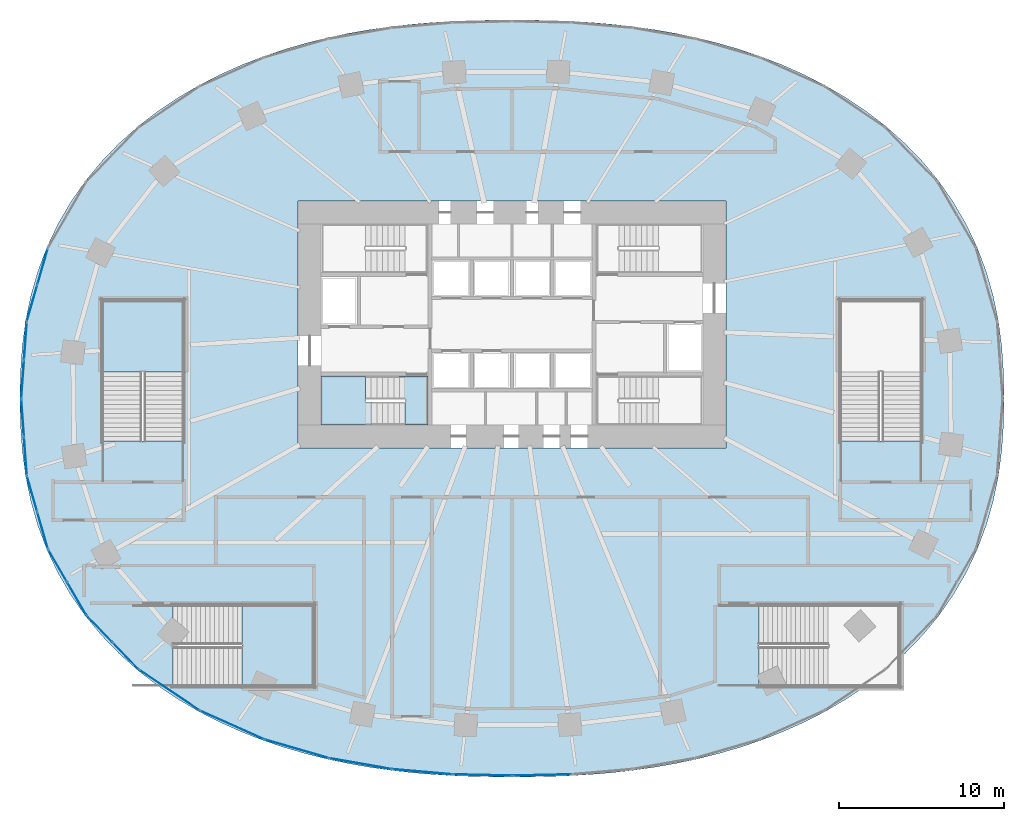
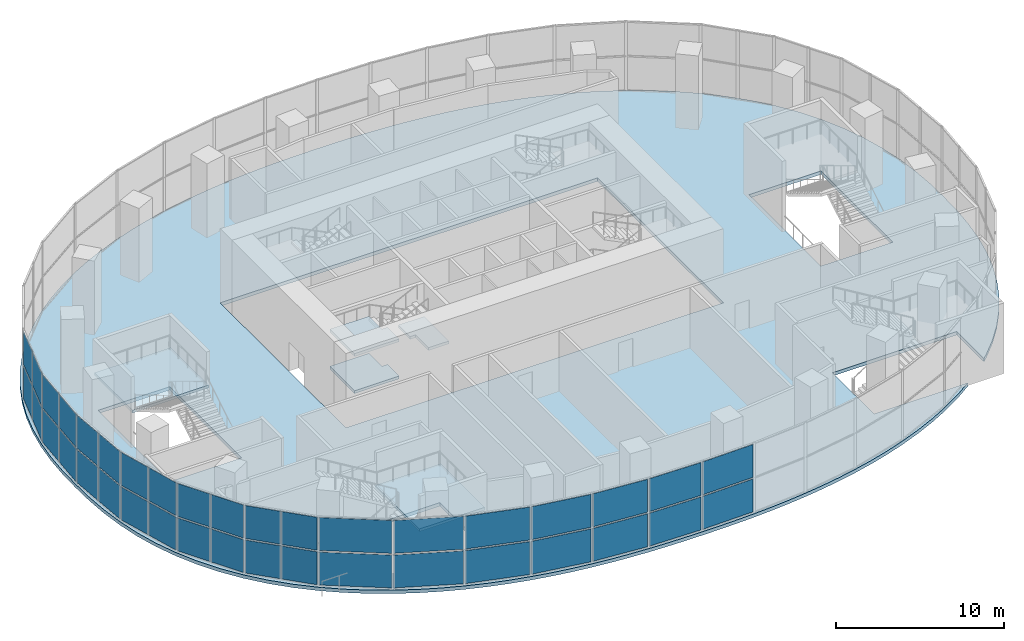
# One storey, part 9 of 20: 38 plates, 6 slabs, 16 elements without a shape of their own.
"""IFC4 building model written with IfcOpenShell, lengths in metres."""

import ifcopenshell
import ifcopenshell.guid

model = None  # the IFC model being written
_history = None  # IfcOwnerHistory: only IFC2X3 demands one
_inside = {}  # id of a spatial element -> (the spatial element, [elements in it])
_under = {}  # id of a project, library or spatial element -> (it, [spatial elements below it])
_declared = {}  # id of a project -> (the project, [libraries it declares])
_typed = {}  # id of a type object -> (the type object, [elements of that type])
_made_of = {}  # id of a material, layer set ... -> (it, [elements and type objects made of it])


def new_model(schema):
    """Start an empty IFC model of exactly this schema.

    Asked for "IFC4X3", IfcOpenShell would pick the latest addendum, in which some entities
    have other attributes; the version numbers below select the first issue.
    IFC2X3 requires an IfcOwnerHistory on every rooted entity: one is made here for all.
    """
    global model, _history
    if schema == "IFC4X3":
        model = ifcopenshell.file(schema_version=(4, 3, 0, 0))
    else:
        model = ifcopenshell.file(schema=schema)
    _inside.clear()
    _under.clear()
    _declared.clear()
    _typed.clear()
    _made_of.clear()
    _history = None
    if model.schema == "IFC2X3":
        org = make("IfcOrganization", Name="unknown")
        user = make(
            "IfcPersonAndOrganization",
            ThePerson=make("IfcPerson", FamilyName="unknown"),
            TheOrganization=org,
        )
        app = make(
            "IfcApplication",
            ApplicationDeveloper=org,
            Version="unknown",
            ApplicationFullName="unknown",
            ApplicationIdentifier="unknown",
        )
        _history = make(
            "IfcOwnerHistory",
            OwningUser=user,
            OwningApplication=app,
            ChangeAction="ADDED",
            CreationDate=0,
        )
    return model


def make(cls, **values):
    """One entity of the class cls with the attributes given. An attribute that is None is left unset."""
    return model.create_entity(
        cls, **{name: value for name, value in values.items() if value is not None}
    )


def rooted(cls, **values):
    """An entity with a GlobalId (a new one), such as an element, a storey or a relation."""
    return make(cls, GlobalId=ifcopenshell.guid.new(), OwnerHistory=_history, **values)


def si_unit(unit_type, name, prefix=None):
    """IfcSIUnit, for example si_unit("LENGTHUNIT", "METRE", prefix="MILLI")."""
    return make("IfcSIUnit", UnitType=unit_type, Prefix=prefix, Name=name)


def assignment(units):
    """IfcUnitAssignment: the units of a project."""
    return None if units is None else make("IfcUnitAssignment", Units=units)


def point(xyz):
    """IfcCartesianPoint."""
    return None if xyz is None else make("IfcCartesianPoint", Coordinates=xyz)


def direction(xyz):
    """IfcDirection."""
    return None if xyz is None else make("IfcDirection", DirectionRatios=xyz)


def frame(location, z_axis=None, x_axis=None):
    """IfcAxis2Placement3D, a coordinate frame: its origin and axes. An axis left out is left unset."""
    return make(
        "IfcAxis2Placement3D",
        Location=point(location),
        Axis=direction(z_axis),
        RefDirection=direction(x_axis),
    )


def frame_2d(location, x_axis=None):
    """IfcAxis2Placement2D, a coordinate frame in the plane: its origin and x axis."""
    return make(
        "IfcAxis2Placement2D", Location=point(location), RefDirection=direction(x_axis)
    )


def origin():
    """The frame at (0, 0, 0) with its axes left unset."""
    return frame((0.0, 0.0, 0.0))


def origin_2d():
    """The frame at (0, 0) in the plane with its x axis left unset."""
    return frame_2d((0.0, 0.0))


def place(relative_to, where):
    """IfcLocalPlacement: puts the frame where relative to a parent placement (None: the world)."""
    return make(
        "IfcLocalPlacement", PlacementRelTo=relative_to, RelativePlacement=where
    )


def context(
    kind, dimensions, precision=None, world=None, true_north=None, identifier=None
):
    """IfcGeometricRepresentationContext, for example the 3D "Model" context."""
    return make(
        "IfcGeometricRepresentationContext",
        ContextIdentifier=identifier,
        ContextType=kind,
        CoordinateSpaceDimension=dimensions,
        Precision=precision,
        WorldCoordinateSystem=world,
        TrueNorth=true_north,
    )


def subcontext(parent, identifier, kind, view, scale=None):
    """IfcGeometricRepresentationSubContext, for example "Body" below "Model"."""
    return make(
        "IfcGeometricRepresentationSubContext",
        ContextIdentifier=identifier,
        ContextType=kind,
        ParentContext=parent,
        TargetScale=scale,
        TargetView=view,
    )


def project(units=None, contexts=None):
    """IfcProject with its units and contexts."""
    return rooted(
        "IfcProject",
        Name="project",
        RepresentationContexts=contexts,
        UnitsInContext=assignment(units),
    )


def spatial(cls, under=None, at=None, **own):
    """A site, building, storey or space (cls), placed at a placement, below another one or the project."""
    s = rooted(cls, ObjectPlacement=at, **own)
    if under is not None:
        _under.setdefault(under.id(), (under, []))[1].append(s)
    return s


def polyline(points):
    """IfcPolyline through the points."""
    return make("IfcPolyline", Points=[point(p) for p in points])


def profile(cls, at=None, kind="AREA", **sizes):
    """A parametric profile (cls). Its sizes go by their IFC names, for example OverallWidth=200.0."""
    return make(cls, ProfileType=kind, Position=at, **sizes)


def rectangle(**sizes):
    """IfcRectangleProfileDef."""
    return profile("IfcRectangleProfileDef", **sizes)


def outline(outer, holes=None, kind="AREA"):
    """IfcArbitraryClosedProfileDef: a profile drawn as a closed curve; with holes, ...WithVoids."""
    if holes is None:
        return make("IfcArbitraryClosedProfileDef", ProfileType=kind, OuterCurve=outer)
    return make(
        "IfcArbitraryProfileDefWithVoids",
        ProfileType=kind,
        OuterCurve=outer,
        InnerCurves=holes,
    )


def extrude(swept, where, along, depth):
    """IfcExtrudedAreaSolid: the profile swept, set in the frame where, extruded along a direction by depth."""
    return make(
        "IfcExtrudedAreaSolid",
        SweptArea=swept,
        Position=where,
        ExtrudedDirection=direction(along),
        Depth=depth,
    )


def shape(context_of_items, identifier, shape_type, items):
    """IfcShapeRepresentation: the items that make up one representation, for example the "Body"."""
    return make(
        "IfcShapeRepresentation",
        ContextOfItems=context_of_items,
        RepresentationIdentifier=identifier,
        RepresentationType=shape_type,
        Items=items,
    )


def material(Name=None, Category=None):
    """IfcMaterial."""
    return make("IfcMaterial", Name=Name, Category=Category)


def layer(
    of_material, thickness, ventilated=None, Name=None, Category=None, Priority=None
):
    """IfcMaterialLayer: one layer of a wall or slab, of a material (None: an air gap)."""
    return make(
        "IfcMaterialLayer",
        Material=of_material,
        LayerThickness=thickness,
        IsVentilated=ventilated,
        Name=Name,
        Category=Category,
        Priority=Priority,
    )


def layer_set(layers, Name=None):
    """IfcMaterialLayerSet."""
    return make("IfcMaterialLayerSet", MaterialLayers=layers, LayerSetName=Name)


def made_of(thing, what):
    """Note that an element or type object is made of a material, layer set ...; save() writes the relation."""
    if what is not None:
        _made_of.setdefault(what.id(), (what, []))[1].append(thing)
    return thing


def type_object(cls, material=None, **own):
    """A type object (cls), such as IfcWallType, which elements share."""
    return made_of(rooted(cls, **own), material)


def element(
    cls,
    number,
    at=None,
    inside=None,
    cuts=None,
    type_object=None,
    material=None,
    context=None,
    identifier="Body",
    shape_type=None,
    held_by="IfcProductDefinitionShape",
    body=None,
    shapes=None,
    **own,
):
    """One element of the class cls, such as IfcWall. Its Tag is "e" and its number.

    at: its placement. inside: the storey or other place that contains it. cuts: it is an
    opening in that element (IfcRelVoidsElement). A single representation is given by context,
    identifier, shape_type and body (its items); several are given by shapes. held_by: the class
    of the entity that holds the representations. save() writes the other relations.
    """
    e = rooted(cls, Tag="e%d" % number, ObjectPlacement=at, **own)
    if body is not None:
        shapes = [shape(context, identifier, shape_type, body)]
    if shapes is not None:
        e.Representation = make(held_by, Representations=shapes)
    if inside is not None:
        _inside.setdefault(inside.id(), (inside, []))[1].append(e)
    if cuts is not None:
        rooted(
            "IfcRelVoidsElement", RelatingBuildingElement=cuts, RelatedOpeningElement=e
        )
    if type_object is not None:
        _typed.setdefault(type_object.id(), (type_object, []))[1].append(e)
    return made_of(e, material)


def aggregate(whole, parts):
    """IfcRelAggregates: a whole, such as a stair, and the parts it consists of."""
    return rooted("IfcRelAggregates", RelatingObject=whole, RelatedObjects=parts)


def save(model, path):
    """Write the relations noted so far, then the file.

    IfcRelAggregates (storeys below a building ...), IfcRelContainedInSpatialStructure (elements
    in a storey), IfcRelDefinesByType, IfcRelAssociatesMaterial and IfcRelDeclares: one each for
    every whole, place, type object, material and project.
    """
    for whole, parts in _under.values():
        aggregate(whole, parts)
    for where, things in _inside.values():
        rooted(
            "IfcRelContainedInSpatialStructure",
            RelatedElements=things,
            RelatingStructure=where,
        )
    for kind, things in _typed.values():
        rooted("IfcRelDefinesByType", RelatedObjects=things, RelatingType=kind)
    for what, things in _made_of.values():
        rooted("IfcRelAssociatesMaterial", RelatedObjects=things, RelatingMaterial=what)
    for by, libraries in _declared.values():
        rooted("IfcRelDeclares", RelatingContext=by, RelatedDefinitions=libraries)
    model.write(path)


model = new_model("IFC4")

# Units and contexts
model_context = context("Model", 3, precision=1e-05, world=origin(), true_north=direction((0.0, 1.0)))
body_context = subcontext(model_context, "Body", "Model", "MODEL_VIEW")
ifc_project = project(units=[si_unit("LENGTHUNIT", "METRE"), si_unit("AREAUNIT", "SQUARE_METRE"), si_unit("VOLUMEUNIT", "CUBIC_METRE"), si_unit("PLANEANGLEUNIT", "RADIAN"), si_unit("MASSUNIT", "GRAM", prefix="KILO")], contexts=[model_context])

# Site, building, storey
site_placement = place(None, origin())
site = spatial("IfcSite", under=ifc_project, at=site_placement, CompositionType="ELEMENT")
building_placement = place(site_placement, origin())
building = spatial("IfcBuilding", under=site, at=building_placement, Name="Rubra Terraces Tower", CompositionType="ELEMENT")
storey_placement = place(building_placement, frame((0.0, 0.0, 22.800048828125)))
storey = spatial("IfcBuildingStorey", under=building, at=storey_placement, Name="L03", CompositionType="ELEMENT", Elevation=22.800048828125)

# Stair, slabs
ifc_material_1 = material(Name="Concrete C40", Category="concrete")
stair_type_1 = type_object("IfcStairType", Name="Core stair 1400", PredefinedType="HALF_TURN_STAIR", material=ifc_material_1)
stair_1_placement = place(storey_placement, origin())
stair_1 = element("IfcStair", 1, at=stair_1_placement, inside=storey, type_object=stair_type_1, Name="L03 Exit stair S1", PredefinedType="HALF_TURN_STAIR")
ifc_layer_1 = layer(ifc_material_1, 0.199951171875)
ifc_layer_set_1 = layer_set([ifc_layer_1], Name="Concrete C40")
slab_type_1 = type_object("IfcSlabType", Name="Core stair landing 200", PredefinedType="LANDING", material=ifc_layer_set_1)
slab_1_placement = place(storey_placement, frame((0.0, 0.0, 1.14990234375)))
slab_1 = element("IfcSlab", 2, at=slab_1_placement, type_object=slab_type_1, Name="S1 landing 1", PredefinedType="LANDING", context=body_context, shape_type="SweptSolid", body=[
    extrude(outline(polyline([(-8.52001953125, -0.199951171875), (-8.52001953125, -1.60009765625), (-8.89990234375, -1.60009765625), (-8.919921875, -1.60009765625), (-11.60009765625, -1.60009765625), (-11.60009765625, 1.35009765625), (-8.919921875, 1.35009765625), (-8.89794921875, 1.35009765625), (-8.89794921875, -0.050048828125), (-8.89990234375, -0.050048828125), (-8.89990234375, -0.199951171875), (-8.52001953125, -0.199951171875)])), origin(), (0.0, 0.0, 1.0), 0.199951171875),
])
slab_2_placement = place(storey_placement, frame((0.0, 0.0, 2.5)))
slab_2 = element("IfcSlab", 3, at=slab_2_placement, type_object=slab_type_1, Name="S1 landing 2", PredefinedType="LANDING", context=body_context, shape_type="SweptSolid", body=[
    extrude(outline(polyline([(-6.5, -0.199951171875), (-6.5, -0.050048828125), (-6.8798828125, -0.050048828125), (-6.8798828125, 1.35009765625), (-6.5, 1.35009765625), (-6.47998046875, 1.35009765625), (-5.10009765625, 1.35009765625), (-5.10009765625, -1.60009765625), (-6.47998046875, -1.60009765625), (-6.5, -1.60009765625), (-6.501953125, -1.60009765625), (-6.501953125, -0.199951171875), (-6.5, -0.199951171875)])), origin(), (0.0, 0.0, 1.0), 0.199951171875),
])
slab_3_placement = place(storey_placement, frame((0.0, 0.0, 3.849853515625)))
slab_3 = element("IfcSlab", 4, at=slab_3_placement, type_object=slab_type_1, Name="S1 landing 3", PredefinedType="LANDING", context=body_context, shape_type="SweptSolid", body=[
    extrude(outline(polyline([(-8.52001953125, -0.199951171875), (-8.52001953125, -1.60009765625), (-8.89990234375, -1.60009765625), (-8.919921875, -1.60009765625), (-11.60009765625, -1.60009765625), (-11.60009765625, 1.35009765625), (-8.919921875, 1.35009765625), (-8.89794921875, 1.35009765625), (-8.89794921875, -0.050048828125), (-8.89990234375, -0.050048828125), (-8.89990234375, -0.199951171875), (-8.52001953125, -0.199951171875)])), origin(), (0.0, 0.0, 1.0), 0.2001953125),
])
aggregate(stair_1, [slab_1, slab_2, slab_3])

# Slab
ifc_layer_2 = layer(ifc_material_1, 0.25)
ifc_layer_set_2 = layer_set([ifc_layer_2], Name="Concrete C40")
slab_type_2 = type_object("IfcSlabType", Name="FLOOR SLAB 250 COMPOSITE", PredefinedType="FLOOR", material=ifc_layer_set_2)
slab_4_placement = place(storey_placement, frame((0.0, 0.0, -0.25)))
element("IfcSlab", 5, at=slab_4_placement, inside=storey, type_object=slab_type_2, Name="FLOOR SLAB L03", PredefinedType="FLOOR", context=body_context, shape_type="SweptSolid", body=[
    extrude(outline(polyline([(28.819091796875, -7.719970703125), (29.25, -6.216064453125), (29.56298828125, -4.681884765625), (29.76708984375, -3.12890625), (29.873046875, -1.56591796875), (29.89990234375, 0.0), (29.873046875, 1.56591796875), (29.76708984375, 3.12890625), (29.56298828125, 4.681884765625), (29.25, 6.216064453125), (28.819091796875, 7.719970703125), (28.26806640625, 9.18505859375), (27.60205078125, 10.591064453125), (26.820068359375, 11.93603515625), (25.929931640625, 13.2119140625), (24.951904296875, 14.39501953125), (23.885009765625, 15.5), (22.739013671875, 16.52099609375), (21.555908203125, 17.43505859375), (20.31591796875, 18.27001953125), (19.02587890625, 19.02587890625), (17.7490234375, 19.679931640625), (16.43896484375, 20.264892578125), (15.10107421875, 20.784912109375), (13.80810546875, 21.219970703125), (12.4970703125, 21.60009765625), (11.173095703125, 21.927978515625), (9.904052734375, 22.194091796875), (8.626953125, 22.4169921875), (7.343017578125, 22.60009765625), (6.10791015625, 22.739013671875), (4.87109375, 22.844970703125), (3.6298828125, 22.922119140625), (2.4208984375, 22.968994140625), (1.2109375, 22.993896484375), (0.0, 23.0), (-1.2109375, 22.993896484375), (-2.4208984375, 22.968994140625), (-3.6298828125, 22.922119140625), (-4.87109375, 22.844970703125), (-6.10791015625, 22.739013671875), (-7.343017578125, 22.60009765625), (-8.626953125, 22.4169921875), (-9.904052734375, 22.194091796875), (-11.173095703125, 21.927978515625), (-12.4970703125, 21.60009765625), (-13.80810546875, 21.219970703125), (-15.10107421875, 20.784912109375), (-16.43896484375, 20.264892578125), (-17.7490234375, 19.679931640625), (-19.02587890625, 19.02587890625), (-20.31591796875, 18.27001953125), (-21.555908203125, 17.43505859375), (-22.739013671875, 16.52099609375), (-23.885009765625, 15.5), (-24.951904296875, 14.39501953125), (-25.929931640625, 13.2119140625), (-26.820068359375, 11.93603515625), (-27.60205078125, 10.591064453125), (-28.26806640625, 9.18505859375), (-28.819091796875, 7.719970703125), (-29.25, 6.216064453125), (-29.56298828125, 4.681884765625), (-29.76708984375, 3.12890625), (-29.873046875, 1.56591796875), (-29.89990234375, 0.0), (-29.873046875, -1.56591796875), (-29.76708984375, -3.12890625), (-29.56298828125, -4.681884765625), (-29.25, -6.216064453125), (-28.819091796875, -7.719970703125), (-28.26806640625, -9.18505859375), (-27.60205078125, -10.591064453125), (-26.820068359375, -11.93603515625), (-25.929931640625, -13.2119140625), (-24.951904296875, -14.39501953125), (-23.885009765625, -15.5), (-22.739013671875, -16.52099609375), (-21.555908203125, -17.43505859375), (-20.31591796875, -18.27001953125), (-19.02587890625, -19.02587890625), (-17.7490234375, -19.679931640625), (-16.43896484375, -20.264892578125), (-15.10107421875, -20.784912109375), (-13.80810546875, -21.219970703125), (-12.4970703125, -21.60009765625), (-11.173095703125, -21.927978515625), (-9.904052734375, -22.194091796875), (-8.626953125, -22.4169921875), (-7.343017578125, -22.60009765625), (-6.10791015625, -22.739013671875), (-4.87109375, -22.844970703125), (-3.6298828125, -22.922119140625), (-2.4208984375, -22.968994140625), (-1.2109375, -22.993896484375), (0.0, -23.0), (1.2109375, -22.993896484375), (2.4208984375, -22.968994140625), (3.6298828125, -22.922119140625), (4.87109375, -22.844970703125), (6.10791015625, -22.739013671875), (7.343017578125, -22.60009765625), (8.626953125, -22.4169921875), (9.904052734375, -22.194091796875), (11.173095703125, -21.927978515625), (12.4970703125, -21.60009765625), (13.80810546875, -21.219970703125), (15.10107421875, -20.784912109375), (16.43896484375, -20.264892578125), (17.7490234375, -19.679931640625), (19.02587890625, -19.02587890625), (20.31591796875, -18.27001953125), (21.458984375, -17.5), (15.0009765625, -17.5), (15.0009765625, -12.550048828125), (23.56005859375, -12.550048828125), (23.56005859375, -15.7900390625), (23.885009765625, -15.5), (24.951904296875, -14.39501953125), (25.929931640625, -13.2119140625), (26.820068359375, -11.93603515625), (27.60205078125, -10.591064453125), (28.26806640625, -9.18505859375), (28.819091796875, -7.719970703125)]), holes=[polyline([(13.0, 12.0), (13.0, -3.0), (-13.0, -3.0), (-13.0, 12.0), (13.0, 12.0)]), polyline([(-19.949951171875, -2.59912109375), (-24.89990234375, -2.59912109375), (-24.89990234375, 5.9599609375), (-19.949951171875, 5.9599609375), (-19.949951171875, -2.59912109375)]), polyline([(19.949951171875, -2.59912109375), (19.949951171875, 5.9599609375), (24.89990234375, 5.9599609375), (24.89990234375, -2.59912109375), (19.949951171875, -2.59912109375)]), polyline([(-12.0400390625, -12.550048828125), (-12.0400390625, -17.5), (-20.59912109375, -17.5), (-20.59912109375, -12.550048828125), (-12.0400390625, -12.550048828125)])]), origin(), (0.0, 0.0, 1.0), 0.25),
])

# Curtain wall, plates
ifc_material_2 = material(Name="Aluminium and glass", Category="aluminium")
curtain_wall_type = type_object("IfcCurtainWallType", Name="Curtain wall Podium glazing", PredefinedType="NOTDEFINED", material=ifc_material_2)
curtain_wall_1_placement = place(storey_placement, origin())
curtain_wall_1 = element("IfcCurtainWall", 6, at=curtain_wall_1_placement, inside=storey, type_object=curtain_wall_type, Name="L03 glazing bay 19", PredefinedType="NOTDEFINED")
ifc_material_3 = material(Name="Clear glass, laminated", Category="glass")
ifc_layer_3 = layer(ifc_material_3, 0.028076171875)
ifc_layer_set_3 = layer_set([ifc_layer_3], Name="Clear glass, laminated")
plate_type = type_object("IfcPlateType", Name="Podium glazing glass panel 28", PredefinedType="CURTAIN_PANEL", material=ifc_layer_set_3)
plate_1_placement = place(storey_placement, frame((-28.523681640625, 8.024169921875, 0.119873046875), z_axis=(0.0, 0.0, 1.0), x_axis=(-0.276383811798, -0.961047339404, 0.0)))
plate_1 = element("IfcPlate", 7, at=plate_1_placement, type_object=plate_type, Name="CW1 panel 1.1", PredefinedType="CURTAIN_PANEL", context=body_context, shape_type="SweptSolid", body=[
    extrude(rectangle(XDim=2.252685546875, YDim=0.028076171875, at=origin_2d()), origin(), (0.0, 0.0, 1.0), 2.39501953125),
])
plate_2_placement = place(storey_placement, frame((-28.523681640625, 8.024169921875, 2.635009765625), z_axis=(0.0, 0.0, 1.0), x_axis=(-0.276383811798, -0.961047339404, 0.0)))
plate_2 = element("IfcPlate", 8, at=plate_2_placement, type_object=plate_type, Name="CW1 panel 1.2", PredefinedType="CURTAIN_PANEL", context=body_context, shape_type="SweptSolid", body=[
    extrude(rectangle(XDim=2.252685546875, YDim=0.028076171875, at=origin_2d()), origin(), (0.0, 0.0, 1.0), 2.39501953125),
])
plate_3_placement = place(storey_placement, frame((-29.1630859375, 5.801513671875, 0.119873046875), z_axis=(0.0, 0.0, 1.0), x_axis=(-0.276383811798, -0.961047339404, 0.0)))
plate_3 = element("IfcPlate", 9, at=plate_3_placement, type_object=plate_type, Name="CW1 panel 2.1", PredefinedType="CURTAIN_PANEL", context=body_context, shape_type="SweptSolid", body=[
    extrude(rectangle(XDim=2.252685546875, YDim=0.028076171875, at=origin_2d()), origin(), (0.0, 0.0, 1.0), 2.39501953125),
])
plate_4_placement = place(storey_placement, frame((-29.1630859375, 5.801513671875, 2.635009765625), z_axis=(0.0, 0.0, 1.0), x_axis=(-0.276383811798, -0.961047339404, 0.0)))
plate_4 = element("IfcPlate", 10, at=plate_4_placement, type_object=plate_type, Name="CW1 panel 2.2", PredefinedType="CURTAIN_PANEL", context=body_context, shape_type="SweptSolid", body=[
    extrude(rectangle(XDim=2.252685546875, YDim=0.028076171875, at=origin_2d()), origin(), (0.0, 0.0, 1.0), 2.39501953125),
])
aggregate(curtain_wall_1, [plate_1, plate_2, plate_3, plate_4])

curtain_wall_2_placement = place(storey_placement, origin())
curtain_wall_2 = element("IfcCurtainWall", 11, at=curtain_wall_2_placement, inside=storey, type_object=curtain_wall_type, Name="L03 glazing bay 20", PredefinedType="NOTDEFINED")
plate_5_placement = place(storey_placement, frame((-29.573486328125, 3.4912109375, 0.119873046875), z_axis=(0.0, 0.0, 1.0), x_axis=(-0.071792057306, -0.997419621076, 0.0)))
plate_5 = element("IfcPlate", 12, at=plate_5_placement, type_object=plate_type, Name="CW1 panel 1.1", PredefinedType="CURTAIN_PANEL", context=body_context, shape_type="SweptSolid", body=[
    extrude(rectangle(XDim=2.257080078125, YDim=0.028076171875, at=origin_2d()), origin(), (0.0, 0.0, 1.0), 2.39501953125),
])
plate_6_placement = place(storey_placement, frame((-29.573486328125, 3.4912109375, 2.635009765625), z_axis=(0.0, 0.0, 1.0), x_axis=(-0.071792057306, -0.997419621076, 0.0)))
plate_6 = element("IfcPlate", 13, at=plate_6_placement, type_object=plate_type, Name="CW1 panel 1.2", PredefinedType="CURTAIN_PANEL", context=body_context, shape_type="SweptSolid", body=[
    extrude(rectangle(XDim=2.257080078125, YDim=0.028076171875, at=origin_2d()), origin(), (0.0, 0.0, 1.0), 2.39501953125),
])
plate_7_placement = place(storey_placement, frame((-29.739990234375, 1.18017578125, 0.119873046875), z_axis=(0.0, 0.0, 1.0), x_axis=(-0.071792057306, -0.997419621076, 0.0)))
plate_7 = element("IfcPlate", 14, at=plate_7_placement, type_object=plate_type, Name="CW1 panel 2.1", PredefinedType="CURTAIN_PANEL", context=body_context, shape_type="SweptSolid", body=[
    extrude(rectangle(XDim=2.257080078125, YDim=0.028076171875, at=origin_2d()), origin(), (0.0, 0.0, 1.0), 2.39501953125),
])
plate_8_placement = place(storey_placement, frame((-29.739990234375, 1.18017578125, 2.635009765625), z_axis=(0.0, 0.0, 1.0), x_axis=(-0.071792057306, -0.997419621076, 0.0)))
plate_8 = element("IfcPlate", 15, at=plate_8_placement, type_object=plate_type, Name="CW1 panel 2.2", PredefinedType="CURTAIN_PANEL", context=body_context, shape_type="SweptSolid", body=[
    extrude(rectangle(XDim=2.257080078125, YDim=0.028076171875, at=origin_2d()), origin(), (0.0, 0.0, 1.0), 2.39501953125),
])
aggregate(curtain_wall_2, [plate_5, plate_6, plate_7, plate_8])

curtain_wall_3_placement = place(storey_placement, origin())
curtain_wall_3 = element("IfcCurtainWall", 16, at=curtain_wall_3_placement, inside=storey, type_object=curtain_wall_type, Name="L03 glazing bay 21", PredefinedType="NOTDEFINED")
plate_9_placement = place(storey_placement, frame((-29.739990234375, -1.18017578125, 0.119873046875), z_axis=(0.0, 0.0, 1.0), x_axis=(0.071792057306, -0.997419621076, 0.0)))
plate_9 = element("IfcPlate", 17, at=plate_9_placement, type_object=plate_type, Name="CW1 panel 1.1", PredefinedType="CURTAIN_PANEL", context=body_context, shape_type="SweptSolid", body=[
    extrude(rectangle(XDim=2.257080078125, YDim=0.028076171875, at=origin_2d()), origin(), (0.0, 0.0, 1.0), 2.39501953125),
])
plate_10_placement = place(storey_placement, frame((-29.739990234375, -1.18017578125, 2.635009765625), z_axis=(0.0, 0.0, 1.0), x_axis=(0.071792057306, -0.997419621076, 0.0)))
plate_10 = element("IfcPlate", 18, at=plate_10_placement, type_object=plate_type, Name="CW1 panel 1.2", PredefinedType="CURTAIN_PANEL", context=body_context, shape_type="SweptSolid", body=[
    extrude(rectangle(XDim=2.257080078125, YDim=0.028076171875, at=origin_2d()), origin(), (0.0, 0.0, 1.0), 2.39501953125),
])
plate_11_placement = place(storey_placement, frame((-29.573486328125, -3.4912109375, 0.119873046875), z_axis=(0.0, 0.0, 1.0), x_axis=(0.071792057306, -0.997419621076, 0.0)))
plate_11 = element("IfcPlate", 19, at=plate_11_placement, type_object=plate_type, Name="CW1 panel 2.1", PredefinedType="CURTAIN_PANEL", context=body_context, shape_type="SweptSolid", body=[
    extrude(rectangle(XDim=2.257080078125, YDim=0.028076171875, at=origin_2d()), origin(), (0.0, 0.0, 1.0), 2.39501953125),
])
plate_12_placement = place(storey_placement, frame((-29.573486328125, -3.4912109375, 2.635009765625), z_axis=(0.0, 0.0, 1.0), x_axis=(0.071792057306, -0.997419621076, 0.0)))
plate_12 = element("IfcPlate", 20, at=plate_12_placement, type_object=plate_type, Name="CW1 panel 2.2", PredefinedType="CURTAIN_PANEL", context=body_context, shape_type="SweptSolid", body=[
    extrude(rectangle(XDim=2.257080078125, YDim=0.028076171875, at=origin_2d()), origin(), (0.0, 0.0, 1.0), 2.39501953125),
])
aggregate(curtain_wall_3, [plate_9, plate_10, plate_11, plate_12])

curtain_wall_4_placement = place(storey_placement, origin())
curtain_wall_4 = element("IfcCurtainWall", 21, at=curtain_wall_4_placement, inside=storey, type_object=curtain_wall_type, Name="L03 glazing bay 22", PredefinedType="NOTDEFINED")
plate_13_placement = place(storey_placement, frame((-29.1630859375, -5.801513671875, 0.119873046875), z_axis=(0.0, 0.0, 1.0), x_axis=(0.276383811798, -0.961047339404, 0.0)))
plate_13 = element("IfcPlate", 22, at=plate_13_placement, type_object=plate_type, Name="CW1 panel 1.1", PredefinedType="CURTAIN_PANEL", context=body_context, shape_type="SweptSolid", body=[
    extrude(rectangle(XDim=2.252685546875, YDim=0.028076171875, at=origin_2d()), origin(), (0.0, 0.0, 1.0), 2.39501953125),
])
plate_14_placement = place(storey_placement, frame((-29.1630859375, -5.801513671875, 2.635009765625), z_axis=(0.0, 0.0, 1.0), x_axis=(0.276383811798, -0.961047339404, 0.0)))
plate_14 = element("IfcPlate", 23, at=plate_14_placement, type_object=plate_type, Name="CW1 panel 1.2", PredefinedType="CURTAIN_PANEL", context=body_context, shape_type="SweptSolid", body=[
    extrude(rectangle(XDim=2.252685546875, YDim=0.028076171875, at=origin_2d()), origin(), (0.0, 0.0, 1.0), 2.39501953125),
])
plate_15_placement = place(storey_placement, frame((-28.523681640625, -8.024169921875, 0.119873046875), z_axis=(0.0, 0.0, 1.0), x_axis=(0.276383811798, -0.961047339404, 0.0)))
plate_15 = element("IfcPlate", 24, at=plate_15_placement, type_object=plate_type, Name="CW1 panel 2.1", PredefinedType="CURTAIN_PANEL", context=body_context, shape_type="SweptSolid", body=[
    extrude(rectangle(XDim=2.252685546875, YDim=0.028076171875, at=origin_2d()), origin(), (0.0, 0.0, 1.0), 2.39501953125),
])
plate_16_placement = place(storey_placement, frame((-28.523681640625, -8.024169921875, 2.635009765625), z_axis=(0.0, 0.0, 1.0), x_axis=(0.276383811798, -0.961047339404, 0.0)))
plate_16 = element("IfcPlate", 25, at=plate_16_placement, type_object=plate_type, Name="CW1 panel 2.2", PredefinedType="CURTAIN_PANEL", context=body_context, shape_type="SweptSolid", body=[
    extrude(rectangle(XDim=2.252685546875, YDim=0.028076171875, at=origin_2d()), origin(), (0.0, 0.0, 1.0), 2.39501953125),
])
aggregate(curtain_wall_4, [plate_13, plate_14, plate_15, plate_16])

curtain_wall_5_placement = place(storey_placement, origin())
curtain_wall_5 = element("IfcCurtainWall", 26, at=curtain_wall_5_placement, inside=storey, type_object=curtain_wall_type, Name="L03 glazing bay 23", PredefinedType="NOTDEFINED")
plate_17_placement = place(storey_placement, frame((-27.611083984375, -10.1669921875, 0.119873046875), z_axis=(0.0, 0.0, 1.0), x_axis=(0.502094070187, -0.864813011398, 0.0)))
plate_17 = element("IfcPlate", 27, at=plate_17_placement, type_object=plate_type, Name="CW1 panel 1.1", PredefinedType="CURTAIN_PANEL", context=body_context, shape_type="SweptSolid", body=[
    extrude(rectangle(XDim=2.23828125, YDim=0.028076171875, at=origin_2d()), origin(), (0.0, 0.0, 1.0), 2.39501953125),
])
plate_18_placement = place(storey_placement, frame((-27.611083984375, -10.1669921875, 2.635009765625), z_axis=(0.0, 0.0, 1.0), x_axis=(0.502094070187, -0.864813011398, 0.0)))
plate_18 = element("IfcPlate", 28, at=plate_18_placement, type_object=plate_type, Name="CW1 panel 1.2", PredefinedType="CURTAIN_PANEL", context=body_context, shape_type="SweptSolid", body=[
    extrude(rectangle(XDim=2.23828125, YDim=0.028076171875, at=origin_2d()), origin(), (0.0, 0.0, 1.0), 2.39501953125),
])
plate_19_placement = place(storey_placement, frame((-26.45703125, -12.154541015625, 0.119873046875), z_axis=(0.0, 0.0, 1.0), x_axis=(0.502094070187, -0.864813011398, 0.0)))
plate_19 = element("IfcPlate", 29, at=plate_19_placement, type_object=plate_type, Name="CW1 panel 2.1", PredefinedType="CURTAIN_PANEL", context=body_context, shape_type="SweptSolid", body=[
    extrude(rectangle(XDim=2.23828125, YDim=0.028076171875, at=origin_2d()), origin(), (0.0, 0.0, 1.0), 2.39501953125),
])
plate_20_placement = place(storey_placement, frame((-26.45703125, -12.154541015625, 2.635009765625), z_axis=(0.0, 0.0, 1.0), x_axis=(0.502094070187, -0.864813011398, 0.0)))
plate_20 = element("IfcPlate", 30, at=plate_20_placement, type_object=plate_type, Name="CW1 panel 2.2", PredefinedType="CURTAIN_PANEL", context=body_context, shape_type="SweptSolid", body=[
    extrude(rectangle(XDim=2.23828125, YDim=0.028076171875, at=origin_2d()), origin(), (0.0, 0.0, 1.0), 2.39501953125),
])
aggregate(curtain_wall_5, [plate_17, plate_18, plate_19, plate_20])

curtain_wall_6_placement = place(storey_placement, origin())
curtain_wall_6 = element("IfcCurtainWall", 31, at=curtain_wall_6_placement, inside=storey, type_object=curtain_wall_type, Name="L03 glazing bay 24", PredefinedType="NOTDEFINED")
plate_21_placement = place(storey_placement, frame((-25.06787109375, -13.998046875, 0.119873046875), z_axis=(0.0, 0.0, 1.0), x_axis=(0.69415569917, -0.71982488517, 0.0)))
plate_21 = element("IfcPlate", 32, at=plate_21_placement, type_object=plate_type, Name="CW1 panel 1.1", PredefinedType="CURTAIN_PANEL", context=body_context, shape_type="SweptSolid", body=[
    extrude(rectangle(XDim=2.20849609375, YDim=0.028076171875, at=origin_2d()), origin(), (0.0, 0.0, 1.0), 2.39501953125),
])
plate_22_placement = place(storey_placement, frame((-25.06787109375, -13.998046875, 2.635009765625), z_axis=(0.0, 0.0, 1.0), x_axis=(0.69415569917, -0.71982488517, 0.0)))
plate_22 = element("IfcPlate", 33, at=plate_22_placement, type_object=plate_type, Name="CW1 panel 1.2", PredefinedType="CURTAIN_PANEL", context=body_context, shape_type="SweptSolid", body=[
    extrude(rectangle(XDim=2.20849609375, YDim=0.028076171875, at=origin_2d()), origin(), (0.0, 0.0, 1.0), 2.39501953125),
])
plate_23_placement = place(storey_placement, frame((-23.4931640625, -15.630859375, 0.119873046875), z_axis=(0.0, 0.0, 1.0), x_axis=(0.69415569917, -0.71982488517, 0.0)))
plate_23 = element("IfcPlate", 34, at=plate_23_placement, type_object=plate_type, Name="CW1 panel 2.1", PredefinedType="CURTAIN_PANEL", context=body_context, shape_type="SweptSolid", body=[
    extrude(rectangle(XDim=2.20849609375, YDim=0.028076171875, at=origin_2d()), origin(), (0.0, 0.0, 1.0), 2.39501953125),
])
plate_24_placement = place(storey_placement, frame((-23.4931640625, -15.630859375, 2.635009765625), z_axis=(0.0, 0.0, 1.0), x_axis=(0.69415569917, -0.71982488517, 0.0)))
plate_24 = element("IfcPlate", 35, at=plate_24_placement, type_object=plate_type, Name="CW1 panel 2.2", PredefinedType="CURTAIN_PANEL", context=body_context, shape_type="SweptSolid", body=[
    extrude(rectangle(XDim=2.20849609375, YDim=0.028076171875, at=origin_2d()), origin(), (0.0, 0.0, 1.0), 2.39501953125),
])
aggregate(curtain_wall_6, [plate_21, plate_22, plate_23, plate_24])

curtain_wall_7_placement = place(storey_placement, origin())
curtain_wall_7 = element("IfcCurtainWall", 36, at=curtain_wall_7_placement, inside=storey, type_object=curtain_wall_type, Name="L03 glazing bay 25", PredefinedType="NOTDEFINED")
plate_25_placement = place(storey_placement, frame((-20.840576171875, -17.711181640625, 0.119873046875), z_axis=(0.0, 0.0, 1.0), x_axis=(0.828980654031, -0.55927727939, 0.0)))
plate_25 = element("IfcPlate", 37, at=plate_25_placement, type_object=plate_type, Name="CW1 panel 1.1", PredefinedType="CURTAIN_PANEL", context=body_context, shape_type="SweptSolid", body=[
    extrude(rectangle(XDim=4.35888671875, YDim=0.028076171875, at=origin_2d()), origin(), (0.0, 0.0, 1.0), 2.39501953125),
])
plate_26_placement = place(storey_placement, frame((-20.840576171875, -17.711181640625, 2.635009765625), z_axis=(0.0, 0.0, 1.0), x_axis=(0.828980654031, -0.55927727939, 0.0)))
plate_26 = element("IfcPlate", 38, at=plate_26_placement, type_object=plate_type, Name="CW1 panel 1.2", PredefinedType="CURTAIN_PANEL", context=body_context, shape_type="SweptSolid", body=[
    extrude(rectangle(XDim=4.35888671875, YDim=0.028076171875, at=origin_2d()), origin(), (0.0, 0.0, 1.0), 2.39501953125),
])
aggregate(curtain_wall_7, [plate_25, plate_26])

curtain_wall_8_placement = place(storey_placement, origin())
curtain_wall_8 = element("IfcCurtainWall", 39, at=curtain_wall_8_placement, inside=storey, type_object=curtain_wall_type, Name="L03 glazing bay 26", PredefinedType="NOTDEFINED")
plate_27_placement = place(storey_placement, frame((-17.03271484375, -19.837158203125, 0.119873046875), z_axis=(0.0, 0.0, 1.0), x_axis=(0.912551215254, -0.4089624427, 0.0)))
plate_27 = element("IfcPlate", 40, at=plate_27_placement, type_object=plate_type, Name="CW1 panel 1.1", PredefinedType="CURTAIN_PANEL", context=body_context, shape_type="SweptSolid", body=[
    extrude(rectangle(XDim=4.18115234375, YDim=0.028076171875, at=origin_2d()), origin(), (0.0, 0.0, 1.0), 2.39501953125),
])
plate_28_placement = place(storey_placement, frame((-17.03271484375, -19.837158203125, 2.635009765625), z_axis=(0.0, 0.0, 1.0), x_axis=(0.912551215254, -0.4089624427, 0.0)))
plate_28 = element("IfcPlate", 41, at=plate_28_placement, type_object=plate_type, Name="CW1 panel 1.2", PredefinedType="CURTAIN_PANEL", context=body_context, shape_type="SweptSolid", body=[
    extrude(rectangle(XDim=4.18115234375, YDim=0.028076171875, at=origin_2d()), origin(), (0.0, 0.0, 1.0), 2.39501953125),
])
aggregate(curtain_wall_8, [plate_27, plate_28])

curtain_wall_9_placement = place(storey_placement, origin())
curtain_wall_9 = element("IfcCurtainWall", 42, at=curtain_wall_9_placement, inside=storey, type_object=curtain_wall_type, Name="L03 glazing bay 27", PredefinedType="NOTDEFINED")
plate_29_placement = place(storey_placement, frame((-13.115966796875, -21.284423828125, 0.119873046875), z_axis=(0.0, 0.0, 1.0), x_axis=(0.96017502931, -0.279399200229, 0.0)))
plate_29 = element("IfcPlate", 43, at=plate_29_placement, type_object=plate_type, Name="CW1 panel 1.1", PredefinedType="CURTAIN_PANEL", context=body_context, shape_type="SweptSolid", body=[
    extrude(rectangle(XDim=3.970947265625, YDim=0.028076171875, at=origin_2d()), origin(), (0.0, 0.0, 1.0), 2.39501953125),
])
plate_30_placement = place(storey_placement, frame((-13.115966796875, -21.284423828125, 2.635009765625), z_axis=(0.0, 0.0, 1.0), x_axis=(0.96017502931, -0.279399200229, 0.0)))
plate_30 = element("IfcPlate", 44, at=plate_30_placement, type_object=plate_type, Name="CW1 panel 1.2", PredefinedType="CURTAIN_PANEL", context=body_context, shape_type="SweptSolid", body=[
    extrude(rectangle(XDim=3.970947265625, YDim=0.028076171875, at=origin_2d()), origin(), (0.0, 0.0, 1.0), 2.39501953125),
])
aggregate(curtain_wall_9, [plate_29, plate_30])

curtain_wall_10_placement = place(storey_placement, origin())
curtain_wall_10 = element("IfcCurtainWall", 45, at=curtain_wall_10_placement, inside=storey, type_object=curtain_wall_type, Name="L03 glazing bay 28", PredefinedType="NOTDEFINED")
plate_31_placement = place(storey_placement, frame((-9.2451171875, -22.190185546875, 0.119873046875), z_axis=(0.0, 0.0, 1.0), x_axis=(0.984953952909, -0.172816985997, 0.0)))
plate_31 = element("IfcPlate", 46, at=plate_31_placement, type_object=plate_type, Name="CW1 panel 1.1", PredefinedType="CURTAIN_PANEL", context=body_context, shape_type="SweptSolid", body=[
    extrude(rectangle(XDim=3.7685546875, YDim=0.028076171875, at=origin_2d()), origin(), (0.0, 0.0, 1.0), 2.39501953125),
])
plate_32_placement = place(storey_placement, frame((-9.2451171875, -22.190185546875, 2.635009765625), z_axis=(0.0, 0.0, 1.0), x_axis=(0.984953952909, -0.172816985997, 0.0)))
plate_32 = element("IfcPlate", 47, at=plate_32_placement, type_object=plate_type, Name="CW1 panel 1.2", PredefinedType="CURTAIN_PANEL", context=body_context, shape_type="SweptSolid", body=[
    extrude(rectangle(XDim=3.7685546875, YDim=0.028076171875, at=origin_2d()), origin(), (0.0, 0.0, 1.0), 2.39501953125),
])
aggregate(curtain_wall_10, [plate_31, plate_32])

curtain_wall_11_placement = place(storey_placement, origin())
curtain_wall_11 = element("IfcCurtainWall", 48, at=curtain_wall_11_placement, inside=storey, type_object=curtain_wall_type, Name="L03 glazing bay 29", PredefinedType="NOTDEFINED")
plate_33_placement = place(storey_placement, frame((-5.47998046875, -22.686279296875, 0.119873046875), z_axis=(0.0, 0.0, 1.0), x_axis=(0.996260697637, -0.08639804595, 0.0)))
plate_33 = element("IfcPlate", 49, at=plate_33_placement, type_object=plate_type, Name="CW1 panel 1.1", PredefinedType="CURTAIN_PANEL", context=body_context, shape_type="SweptSolid", body=[
    extrude(rectangle(XDim=3.60693359375, YDim=0.028076171875, at=origin_2d()), origin(), (0.0, 0.0, 1.0), 2.39501953125),
])
plate_34_placement = place(storey_placement, frame((-5.47998046875, -22.686279296875, 2.635009765625), z_axis=(0.0, 0.0, 1.0), x_axis=(0.996260697637, -0.08639804595, 0.0)))
plate_34 = element("IfcPlate", 50, at=plate_34_placement, type_object=plate_type, Name="CW1 panel 1.2", PredefinedType="CURTAIN_PANEL", context=body_context, shape_type="SweptSolid", body=[
    extrude(rectangle(XDim=3.60693359375, YDim=0.028076171875, at=origin_2d()), origin(), (0.0, 0.0, 1.0), 2.39501953125),
])
aggregate(curtain_wall_11, [plate_33, plate_34])

curtain_wall_12_placement = place(storey_placement, origin())
curtain_wall_12 = element("IfcCurtainWall", 51, at=curtain_wall_12_placement, inside=storey, type_object=curtain_wall_type, Name="L03 glazing bay 30", PredefinedType="NOTDEFINED")
plate_35_placement = place(storey_placement, frame((-1.8134765625, -22.885986328125, 0.119873046875), z_axis=(0.0, 0.0, 1.0), x_axis=(0.999769221365, -0.021482644428, 0.0)))
plate_35 = element("IfcPlate", 52, at=plate_35_placement, type_object=plate_type, Name="CW1 panel 1.1", PredefinedType="CURTAIN_PANEL", context=body_context, shape_type="SweptSolid", body=[
    extrude(rectangle(XDim=3.5107421875, YDim=0.028076171875, at=origin_2d()), origin(), (0.0, 0.0, 1.0), 2.39501953125),
])
plate_36_placement = place(storey_placement, frame((-1.8134765625, -22.885986328125, 2.635009765625), z_axis=(0.0, 0.0, 1.0), x_axis=(0.999769221365, -0.021482644428, 0.0)))
plate_36 = element("IfcPlate", 53, at=plate_36_placement, type_object=plate_type, Name="CW1 panel 1.2", PredefinedType="CURTAIN_PANEL", context=body_context, shape_type="SweptSolid", body=[
    extrude(rectangle(XDim=3.5107421875, YDim=0.028076171875, at=origin_2d()), origin(), (0.0, 0.0, 1.0), 2.39501953125),
])
aggregate(curtain_wall_12, [plate_35, plate_36])

curtain_wall_13_placement = place(storey_placement, origin())
curtain_wall_13 = element("IfcCurtainWall", 54, at=curtain_wall_13_placement, inside=storey, type_object=curtain_wall_type, Name="L03 glazing bay 31", PredefinedType="NOTDEFINED")
plate_37_placement = place(storey_placement, frame((1.8134765625, -22.885986328125, 0.119873046875), z_axis=(0.0, 0.0, 1.0), x_axis=(0.999769221365, 0.021482644428, 0.0)))
plate_37 = element("IfcPlate", 55, at=plate_37_placement, type_object=plate_type, Name="CW1 panel 1.1", PredefinedType="CURTAIN_PANEL", context=body_context, shape_type="SweptSolid", body=[
    extrude(rectangle(XDim=3.5107421875, YDim=0.028076171875, at=origin_2d()), origin(), (0.0, 0.0, 1.0), 2.39501953125),
])
plate_38_placement = place(storey_placement, frame((1.8134765625, -22.885986328125, 2.635009765625), z_axis=(0.0, 0.0, 1.0), x_axis=(0.999769221365, 0.021482644428, 0.0)))
plate_38 = element("IfcPlate", 56, at=plate_38_placement, type_object=plate_type, Name="CW1 panel 1.2", PredefinedType="CURTAIN_PANEL", context=body_context, shape_type="SweptSolid", body=[
    extrude(rectangle(XDim=3.5107421875, YDim=0.028076171875, at=origin_2d()), origin(), (0.0, 0.0, 1.0), 2.39501953125),
])
aggregate(curtain_wall_13, [plate_37, plate_38])

# Stair, slab
ifc_material_4 = material(Name="Concrete C40/50", Category="concrete")
stair_type_2 = type_object("IfcStairType", Name="Public stair", PredefinedType="HALF_TURN_STAIR", material=ifc_material_4)
stair_2_placement = place(storey_placement, origin())
stair_2 = element("IfcStair", 57, at=stair_2_placement, inside=storey, type_object=stair_type_2, Name="L03 public stair PS1", PredefinedType="HALF_TURN_STAIR")
ifc_layer_4 = layer(ifc_material_4, 0.199951171875)
ifc_layer_set_4 = layer_set([ifc_layer_4], Name="Concrete C40/50")
slab_type_3 = type_object("IfcSlabType", Name="Public stair landing 200", PredefinedType="LANDING", material=ifc_layer_set_4)
slab_5_placement = place(storey_placement, frame((0.0, 0.0, 2.5)))
slab_5 = element("IfcSlab", 58, at=slab_5_placement, type_object=slab_type_3, Name="PS1 landing 1", PredefinedType="LANDING", context=body_context, shape_type="SweptSolid", body=[
    extrude(outline(polyline([(-25.050048828125, 1.60009765625), (-19.800048828125, 1.60009765625), (-19.800048828125, 6.110107421875), (-25.050048828125, 6.110107421875), (-25.050048828125, 1.60009765625)])), origin(), (0.0, 0.0, 1.0), 0.199951171875),
])
aggregate(stair_2, [slab_5])

stair_3_placement = place(storey_placement, origin())
stair_3 = element("IfcStair", 59, at=stair_3_placement, inside=storey, type_object=stair_type_2, Name="L03 public stair PS3", PredefinedType="HALF_TURN_STAIR")
slab_6_placement = place(storey_placement, frame((0.0, 0.0, 2.5)))
slab_6 = element("IfcSlab", 60, at=slab_6_placement, type_object=slab_type_3, Name="PS3 landing 1", PredefinedType="LANDING", context=body_context, shape_type="SweptSolid", body=[
    extrude(outline(polyline([(-16.39990234375, -17.64990234375), (-11.889892578125, -17.64990234375), (-11.889892578125, -12.39990234375), (-16.39990234375, -12.39990234375), (-16.39990234375, -17.64990234375)])), origin(), (0.0, 0.0, 1.0), 0.199951171875),
])
aggregate(stair_3, [slab_6])

save(model, "model.ifc")
